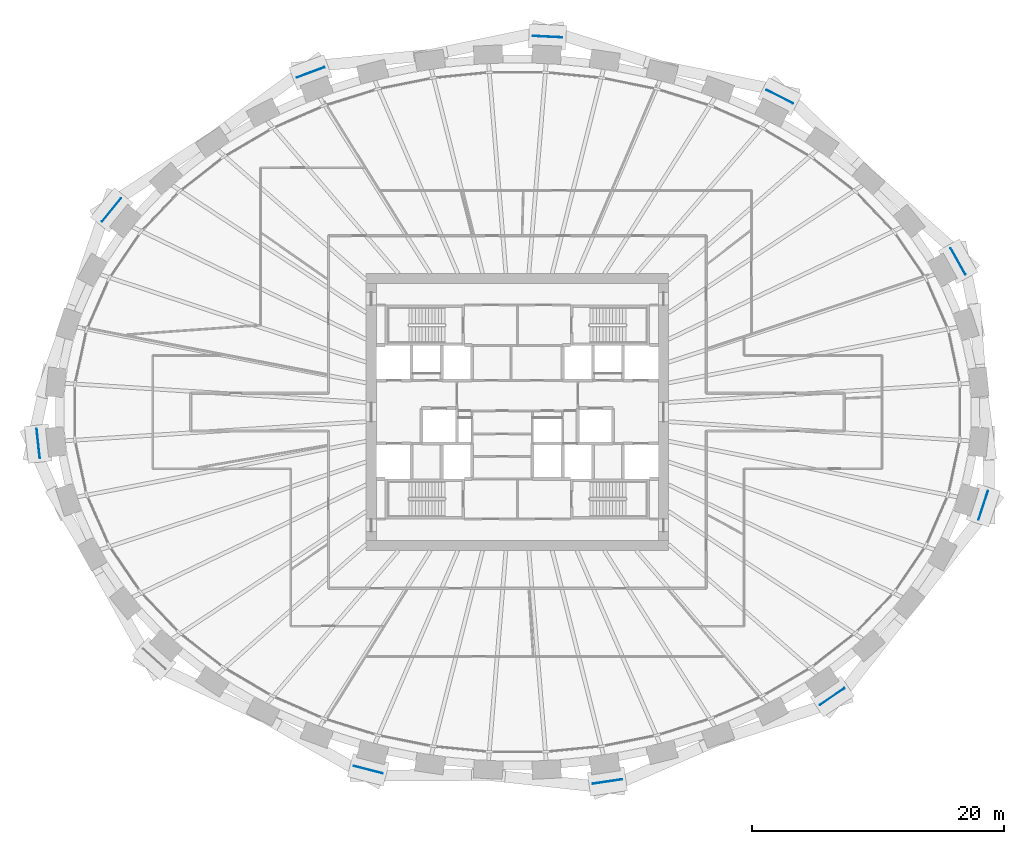
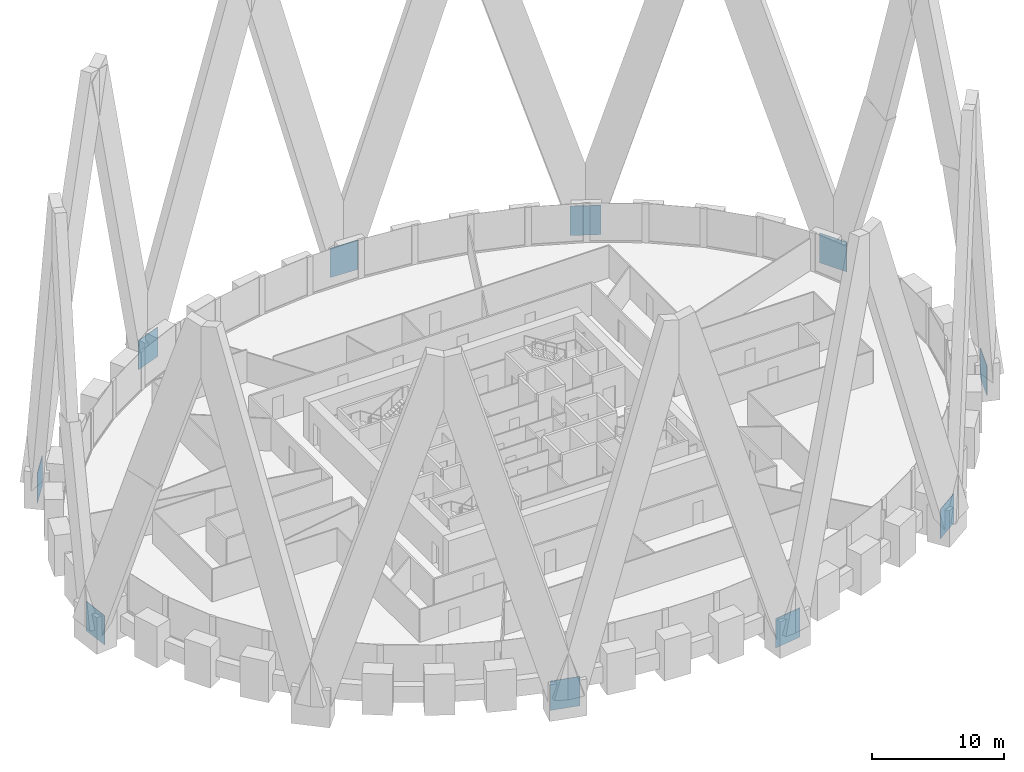
# One storey, part 11 of 12: 10 discrete accessories.
"""IFC4 building model written with IfcOpenShell, lengths in metres."""

import ifcopenshell
import ifcopenshell.guid

model = None  # the IFC model being written
_history = None  # IfcOwnerHistory: only IFC2X3 demands one
_inside = {}  # id of a spatial element -> (the spatial element, [elements in it])
_under = {}  # id of a project, library or spatial element -> (it, [spatial elements below it])
_declared = {}  # id of a project -> (the project, [libraries it declares])
_typed = {}  # id of a type object -> (the type object, [elements of that type])
_made_of = {}  # id of a material, layer set ... -> (it, [elements and type objects made of it])


def new_model(schema):
    """Start an empty IFC model of exactly this schema.

    Asked for "IFC4X3", IfcOpenShell would pick the latest addendum, in which some entities
    have other attributes; the version numbers below select the first issue.
    IFC2X3 requires an IfcOwnerHistory on every rooted entity: one is made here for all.
    """
    global model, _history
    if schema == "IFC4X3":
        model = ifcopenshell.file(schema_version=(4, 3, 0, 0))
    else:
        model = ifcopenshell.file(schema=schema)
    _inside.clear()
    _under.clear()
    _declared.clear()
    _typed.clear()
    _made_of.clear()
    _history = None
    if model.schema == "IFC2X3":
        org = make("IfcOrganization", Name="unknown")
        user = make(
            "IfcPersonAndOrganization",
            ThePerson=make("IfcPerson", FamilyName="unknown"),
            TheOrganization=org,
        )
        app = make(
            "IfcApplication",
            ApplicationDeveloper=org,
            Version="unknown",
            ApplicationFullName="unknown",
            ApplicationIdentifier="unknown",
        )
        _history = make(
            "IfcOwnerHistory",
            OwningUser=user,
            OwningApplication=app,
            ChangeAction="ADDED",
            CreationDate=0,
        )
    return model


def make(cls, **values):
    """One entity of the class cls with the attributes given. An attribute that is None is left unset."""
    return model.create_entity(
        cls, **{name: value for name, value in values.items() if value is not None}
    )


def rooted(cls, **values):
    """An entity with a GlobalId (a new one), such as an element, a storey or a relation."""
    return make(cls, GlobalId=ifcopenshell.guid.new(), OwnerHistory=_history, **values)


def si_unit(unit_type, name, prefix=None):
    """IfcSIUnit, for example si_unit("LENGTHUNIT", "METRE", prefix="MILLI")."""
    return make("IfcSIUnit", UnitType=unit_type, Prefix=prefix, Name=name)


def assignment(units):
    """IfcUnitAssignment: the units of a project."""
    return None if units is None else make("IfcUnitAssignment", Units=units)


def point(xyz):
    """IfcCartesianPoint."""
    return None if xyz is None else make("IfcCartesianPoint", Coordinates=xyz)


def direction(xyz):
    """IfcDirection."""
    return None if xyz is None else make("IfcDirection", DirectionRatios=xyz)


def frame(location, z_axis=None, x_axis=None):
    """IfcAxis2Placement3D, a coordinate frame: its origin and axes. An axis left out is left unset."""
    return make(
        "IfcAxis2Placement3D",
        Location=point(location),
        Axis=direction(z_axis),
        RefDirection=direction(x_axis),
    )


def frame_2d(location, x_axis=None):
    """IfcAxis2Placement2D, a coordinate frame in the plane: its origin and x axis."""
    return make(
        "IfcAxis2Placement2D", Location=point(location), RefDirection=direction(x_axis)
    )


def origin():
    """The frame at (0, 0, 0) with its axes left unset."""
    return frame((0.0, 0.0, 0.0))


def origin_2d():
    """The frame at (0, 0) in the plane with its x axis left unset."""
    return frame_2d((0.0, 0.0))


def place(relative_to, where):
    """IfcLocalPlacement: puts the frame where relative to a parent placement (None: the world)."""
    return make(
        "IfcLocalPlacement", PlacementRelTo=relative_to, RelativePlacement=where
    )


def context(
    kind, dimensions, precision=None, world=None, true_north=None, identifier=None
):
    """IfcGeometricRepresentationContext, for example the 3D "Model" context."""
    return make(
        "IfcGeometricRepresentationContext",
        ContextIdentifier=identifier,
        ContextType=kind,
        CoordinateSpaceDimension=dimensions,
        Precision=precision,
        WorldCoordinateSystem=world,
        TrueNorth=true_north,
    )


def subcontext(parent, identifier, kind, view, scale=None):
    """IfcGeometricRepresentationSubContext, for example "Body" below "Model"."""
    return make(
        "IfcGeometricRepresentationSubContext",
        ContextIdentifier=identifier,
        ContextType=kind,
        ParentContext=parent,
        TargetScale=scale,
        TargetView=view,
    )


def project(units=None, contexts=None):
    """IfcProject with its units and contexts."""
    return rooted(
        "IfcProject",
        Name="project",
        RepresentationContexts=contexts,
        UnitsInContext=assignment(units),
    )


def spatial(cls, under=None, at=None, **own):
    """A site, building, storey or space (cls), placed at a placement, below another one or the project."""
    s = rooted(cls, ObjectPlacement=at, **own)
    if under is not None:
        _under.setdefault(under.id(), (under, []))[1].append(s)
    return s


def profile(cls, at=None, kind="AREA", **sizes):
    """A parametric profile (cls). Its sizes go by their IFC names, for example OverallWidth=200.0."""
    return make(cls, ProfileType=kind, Position=at, **sizes)


def rectangle(**sizes):
    """IfcRectangleProfileDef."""
    return profile("IfcRectangleProfileDef", **sizes)


def extrude(swept, where, along, depth):
    """IfcExtrudedAreaSolid: the profile swept, set in the frame where, extruded along a direction by depth."""
    return make(
        "IfcExtrudedAreaSolid",
        SweptArea=swept,
        Position=where,
        ExtrudedDirection=direction(along),
        Depth=depth,
    )


def shape(context_of_items, identifier, shape_type, items):
    """IfcShapeRepresentation: the items that make up one representation, for example the "Body"."""
    return make(
        "IfcShapeRepresentation",
        ContextOfItems=context_of_items,
        RepresentationIdentifier=identifier,
        RepresentationType=shape_type,
        Items=items,
    )


def source(mapping_origin, context_of_items, identifier, shape_type, items):
    """IfcRepresentationMap: a shape defined once, which mapped items show again and again."""
    return make(
        "IfcRepresentationMap",
        MappingOrigin=mapping_origin,
        MappedRepresentation=shape(context_of_items, identifier, shape_type, items),
    )


def transform(
    local_origin,
    x_axis=None,
    y_axis=None,
    z_axis=None,
    scale=None,
    scale2=None,
    scale3=None,
    uniform=True,
):
    """IfcCartesianTransformationOperator3D, or its non-uniform kind. x_axis, y_axis, z_axis: its Axis1, 2, 3."""
    if uniform:
        return make(
            "IfcCartesianTransformationOperator3D",
            Axis1=direction(x_axis),
            Axis2=direction(y_axis),
            LocalOrigin=point(local_origin),
            Scale=scale,
            Axis3=direction(z_axis),
        )
    return make(
        "IfcCartesianTransformationOperator3DnonUniform",
        Axis1=direction(x_axis),
        Axis2=direction(y_axis),
        LocalOrigin=point(local_origin),
        Scale=scale,
        Axis3=direction(z_axis),
        Scale2=scale2,
        Scale3=scale3,
    )


def mapped(mapping_source, mapping_target):
    """IfcMappedItem: shows the shape of a source again, moved by a transform."""
    return make(
        "IfcMappedItem", MappingSource=mapping_source, MappingTarget=mapping_target
    )


def material(Name=None, Category=None):
    """IfcMaterial."""
    return make("IfcMaterial", Name=Name, Category=Category)


def made_of(thing, what):
    """Note that an element or type object is made of a material, layer set ...; save() writes the relation."""
    if what is not None:
        _made_of.setdefault(what.id(), (what, []))[1].append(thing)
    return thing


def type_object(cls, material=None, **own):
    """A type object (cls), such as IfcWallType, which elements share."""
    return made_of(rooted(cls, **own), material)


def element(
    cls,
    number,
    at=None,
    inside=None,
    cuts=None,
    type_object=None,
    material=None,
    context=None,
    identifier="Body",
    shape_type=None,
    held_by="IfcProductDefinitionShape",
    body=None,
    shapes=None,
    **own,
):
    """One element of the class cls, such as IfcWall. Its Tag is "e" and its number.

    at: its placement. inside: the storey or other place that contains it. cuts: it is an
    opening in that element (IfcRelVoidsElement). A single representation is given by context,
    identifier, shape_type and body (its items); several are given by shapes. held_by: the class
    of the entity that holds the representations. save() writes the other relations.
    """
    e = rooted(cls, Tag="e%d" % number, ObjectPlacement=at, **own)
    if body is not None:
        shapes = [shape(context, identifier, shape_type, body)]
    if shapes is not None:
        e.Representation = make(held_by, Representations=shapes)
    if inside is not None:
        _inside.setdefault(inside.id(), (inside, []))[1].append(e)
    if cuts is not None:
        rooted(
            "IfcRelVoidsElement", RelatingBuildingElement=cuts, RelatedOpeningElement=e
        )
    if type_object is not None:
        _typed.setdefault(type_object.id(), (type_object, []))[1].append(e)
    return made_of(e, material)


def aggregate(whole, parts):
    """IfcRelAggregates: a whole, such as a stair, and the parts it consists of."""
    return rooted("IfcRelAggregates", RelatingObject=whole, RelatedObjects=parts)


def save(model, path):
    """Write the relations noted so far, then the file.

    IfcRelAggregates (storeys below a building ...), IfcRelContainedInSpatialStructure (elements
    in a storey), IfcRelDefinesByType, IfcRelAssociatesMaterial and IfcRelDeclares: one each for
    every whole, place, type object, material and project.
    """
    for whole, parts in _under.values():
        aggregate(whole, parts)
    for where, things in _inside.values():
        rooted(
            "IfcRelContainedInSpatialStructure",
            RelatedElements=things,
            RelatingStructure=where,
        )
    for kind, things in _typed.values():
        rooted("IfcRelDefinesByType", RelatedObjects=things, RelatingType=kind)
    for what, things in _made_of.values():
        rooted("IfcRelAssociatesMaterial", RelatedObjects=things, RelatingMaterial=what)
    for by, libraries in _declared.values():
        rooted("IfcRelDeclares", RelatingContext=by, RelatedDefinitions=libraries)
    model.write(path)


model = new_model("IFC4")

# Units and contexts
model_context = context("Model", 3, precision=1e-05, world=origin(), true_north=direction((0.0, 1.0)))
body_context = subcontext(model_context, "Body", "Model", "MODEL_VIEW")
ifc_project = project(units=[si_unit("LENGTHUNIT", "METRE"), si_unit("AREAUNIT", "SQUARE_METRE"), si_unit("VOLUMEUNIT", "CUBIC_METRE"), si_unit("PLANEANGLEUNIT", "RADIAN"), si_unit("MASSUNIT", "GRAM", prefix="KILO")], contexts=[model_context])

# Site, building, storey
site_placement = place(None, origin())
site = spatial("IfcSite", under=ifc_project, at=site_placement, CompositionType="ELEMENT")
building_placement = place(site_placement, origin())
building = spatial("IfcBuilding", under=site, at=building_placement, Name="Embergate Tower", CompositionType="ELEMENT")
storey_placement = place(building_placement, frame((0.0, 0.0, 191.10009765625)))
storey = spatial("IfcBuildingStorey", under=building, at=storey_placement, Name="L43", CompositionType="ELEMENT", Elevation=191.10009765625)

# Discrete accessories
ifc_material = material(Name="Steel Q355D plate", Category="steel")
discrete_accessory_type = type_object("IfcDiscreteAccessoryType", Name="Lattice node plate", PredefinedType="USERDEFINED", material=ifc_material)
shared_shape_1 = source(origin(), body_context, "Body", "SweptSolid", [
    extrude(rectangle(XDim=2.39990234375, YDim=0.050048828125, at=origin_2d()), origin(), (0.0, 0.0, 1.0), 2.760009765625),
])
for number, where, z_axis, x_axis, name in (
    (1, (34.990966796875, 11.967041015625, -1.3798828125), (0.0, 0.0, 1.0), (-0.486823311018, 0.873500465855, 0.0), "Node plate"),
    (2, (-32.215087890625, 16.051025390625, -1.3798828125), (0.0, 0.0, 1.0), (-0.630824786022, -0.775925311702, 0.0), "Node plate"),
    (3, (36.989990234375, -7.406982421875, -1.3798828125), (0.0, 0.0, 1.0), (0.309946394413, 0.950754033697, 0.0), "Node plate"),
):
    element("IfcDiscreteAccessory", number, at=place(storey_placement, frame(where, z_axis=z_axis, x_axis=x_axis)), inside=storey, type_object=discrete_accessory_type, Name=name, ObjectType="BRACKET", PredefinedType="USERDEFINED", context=body_context, shape_type="MappedRepresentation", body=[
        mapped(shared_shape_1, transform((0.0, 0.0, 0.0))),
    ])
shared_shape_2 = source(origin(), body_context, "Body", "SweptSolid", [
    extrude(rectangle(XDim=2.360107421875, YDim=0.050048828125, at=origin_2d()), origin(), (0.0, 0.0, 1.0), 2.719970703125),
])
for number, where, z_axis, x_axis, name in (
    (4, (20.83203125, 25.041015625, -1.35986328125), (0.0, 0.0, 1.0), (-0.891505174089, 0.453010512651, 0.0), "Node plate"),
    (5, (2.388916015625, 29.805908203125, -1.35986328125), (0.0, 0.0, 1.0), (-0.998807841912, 0.048814904854, 0.0), "Node plate"),
    (6, (-16.4208984375, 26.969970703125, -1.35986328125), (0.0, 0.0, 1.0), (-0.93736713373, -0.348343015724, 0.0), "Node plate"),
    (7, (-38.04296875, -2.510009765625, -1.35986328125), (0.0, 0.0, 1.0), (0.106749983816, -0.99428589498, 0.0), "Node plate"),
    (8, (-11.840087890625, -28.39697265625, -1.35986328125), (0.0, 0.0, 1.0), (0.969140624713, -0.24650851817, 0.0), "Node plate"),
    (9, (7.14697265625, -29.337890625, -1.35986328125), (0.0, 0.0, 1.0), (0.989147039346, 0.146929011949, 0.0), "Node plate"),
    (10, (25.0, -22.590087890625, -1.35986328125), (0.0, 0.0, 1.0), (0.828226643109, 0.560393279442, 0.0), "Node plate"),
):
    element("IfcDiscreteAccessory", number, at=place(storey_placement, frame(where, z_axis=z_axis, x_axis=x_axis)), inside=storey, type_object=discrete_accessory_type, Name=name, ObjectType="BRACKET", PredefinedType="USERDEFINED", context=body_context, shape_type="MappedRepresentation", body=[
        mapped(shared_shape_2, transform((0.0, 0.0, 0.0))),
    ])

save(model, "model.ifc")
